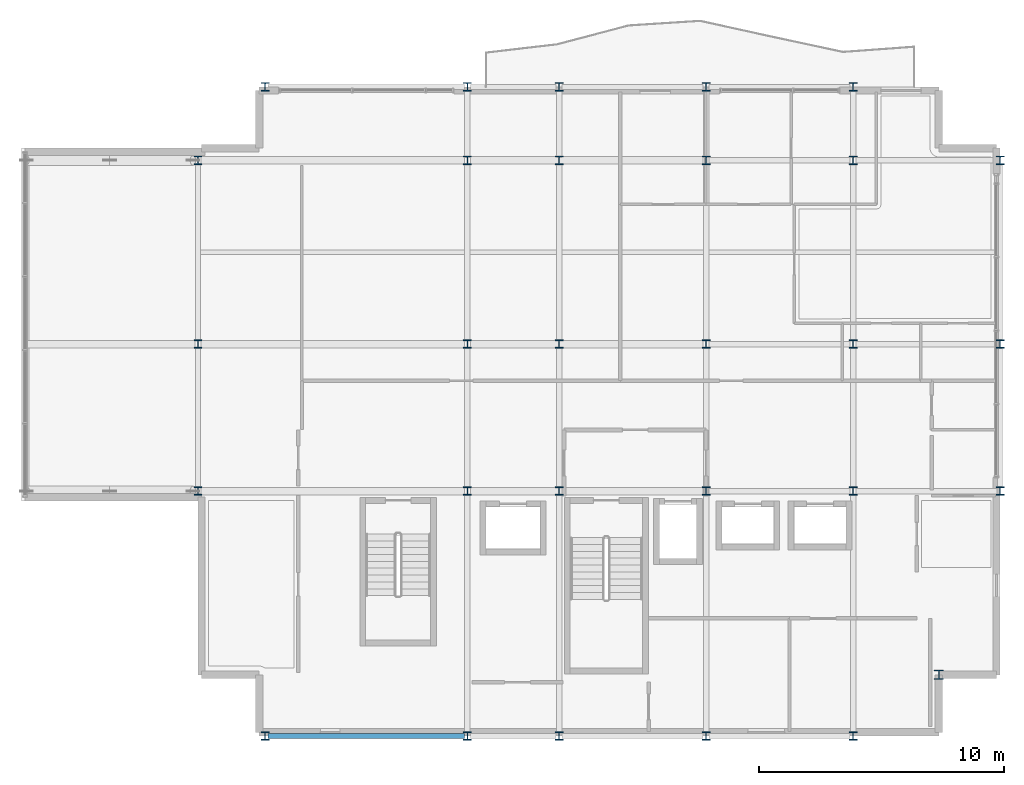
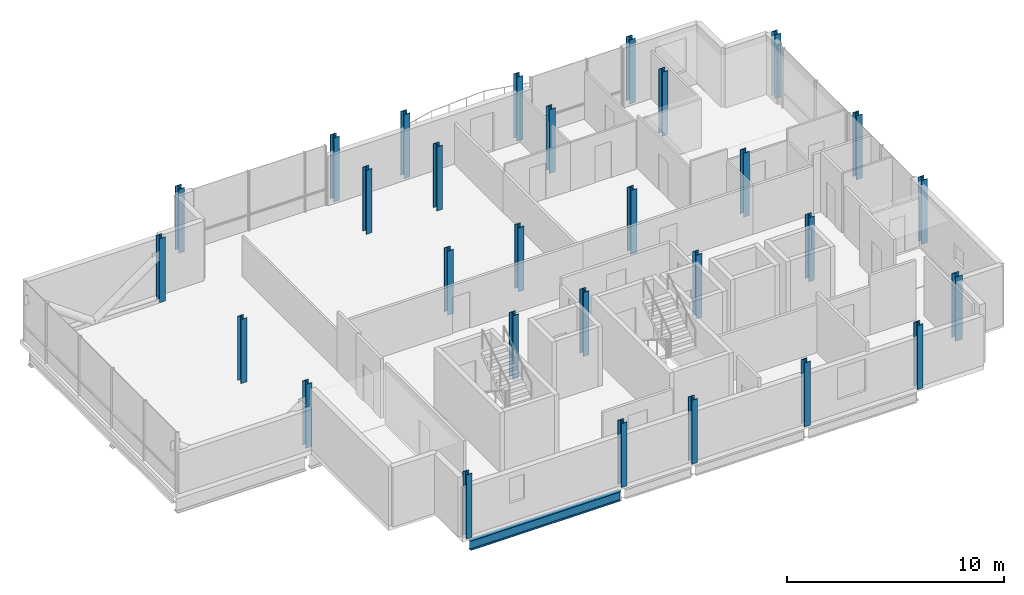
# One storey, part 1 of 18: 29 columns, 1 beam.
"""IFC4 building model written with IfcOpenShell, lengths in metres."""

from ifc_helpers import new_model, si_unit, direction, frame, origin, origin_2d, place, context, subcontext, project, spatial, i_section, extrude, material, material_profile, profile_set, type_object, element, save


model = new_model("IFC4")

# Units and contexts
model_context = context("Model", 3, precision=1e-05, world=origin(), true_north=direction((0.0, 1.0)))
body_context = subcontext(model_context, "Body", "Model", "MODEL_VIEW")
ifc_project = project(units=[si_unit("LENGTHUNIT", "METRE"), si_unit("AREAUNIT", "SQUARE_METRE"), si_unit("VOLUMEUNIT", "CUBIC_METRE"), si_unit("PLANEANGLEUNIT", "RADIAN"), si_unit("MASSUNIT", "GRAM", prefix="KILO")], contexts=[model_context])

# Site, building, storey
site_placement = place(None, origin())
site = spatial("IfcSite", under=ifc_project, at=site_placement, CompositionType="ELEMENT")
building_placement = place(site_placement, origin())
building = spatial("IfcBuilding", under=site, at=building_placement, Name="Brevholm Reach", CompositionType="ELEMENT")
storey_placement = place(building_placement, frame((0.0, 0.0, 240.050048828125)))
storey = spatial("IfcBuildingStorey", under=building, at=storey_placement, Name="L73", CompositionType="ELEMENT", Elevation=240.050048828125)

# Columns
ifc_material_1 = material(Name="Structural Steel S355J2", Category="steel")
ifc_material_profile_1 = material_profile(ifc_material_1, i_section(OverallWidth=0.374755859375, OverallDepth=0.37451171875, WebThickness=0.0166015625, FlangeThickness=0.027099609375, FilletRadius=0.01513671875, at=origin_2d()), Name="UKC 356x368x202")
ifc_profile_set_1 = profile_set([ifc_material_profile_1], Name="Structural Steel S355J2")
column_type_1 = type_object("IfcColumnType", Name="COL-UC6", PredefinedType="COLUMN", material=ifc_profile_set_1)
column_placement = place(storey_placement, frame((57.5, 2.5, 0.0), z_axis=(0.0, 0.0, 1.0), x_axis=(1.0, 0.0, 0.0)))
element("IfcColumn", 1, at=column_placement, inside=storey, type_object=column_type_1, Name="L73 Column 26", PredefinedType="COLUMN", context=body_context, shape_type="SweptSolid", body=[
    extrude(i_section(OverallWidth=0.374755859375, OverallDepth=0.37451171875, WebThickness=0.0166015625, FlangeThickness=0.027099609375, FilletRadius=0.01513671875, at=origin_2d()), origin(), (0.0, 0.0, 1.0), 3.599853515625),
])
ifc_material_2 = material(Name="Structural Steel S355J2", Category="steel")
ifc_material_profile_2 = material_profile(ifc_material_2, i_section(OverallWidth=0.314453125, OverallDepth=0.33984375, WebThickness=0.01904296875, FlangeThickness=0.031494140625, FilletRadius=0.01513671875, at=origin_2d()), Name="UKC 305x305x198")
ifc_profile_set_2 = profile_set([ifc_material_profile_2], Name="Structural Steel S355J2")
column_type_2 = type_object("IfcColumnType", Name="COL-UC7", PredefinedType="COLUMN", material=ifc_profile_set_2)
for number, where, z_axis, x_axis, name in (
    (2, (27.25, 10.0, 0.0), (0.0, 0.0, 1.0), (1.0, 0.0, 0.0), "L73 Column 01"),
    (3, (27.25, 16.0, 0.0), (0.0, 0.0, 1.0), (1.0, 0.0, 0.0), "L73 Column 02"),
    (4, (27.25, 23.5, 0.0), (0.0, 0.0, 1.0), (1.0, 0.0, 0.0), "L73 Column 03"),
    (5, (30.0, 0.0, 0.0), (0.0, 0.0, 1.0), (1.0, 0.0, 0.0), "L73 Column 04"),
    (6, (30.0, 26.5, 0.0), (0.0, 0.0, 1.0), (1.0, 0.0, 0.0), "L73 Column 05"),
    (7, (38.25, 0.0, 0.0), (0.0, 0.0, 1.0), (1.0, 0.0, 0.0), "L73 Column 06"),
    (8, (38.25, 10.0, 0.0), (0.0, 0.0, 1.0), (1.0, 0.0, 0.0), "L73 Column 07"),
    (9, (38.25, 16.0, 0.0), (0.0, 0.0, 1.0), (1.0, 0.0, 0.0), "L73 Column 08"),
    (10, (38.25, 23.5, 0.0), (0.0, 0.0, 1.0), (1.0, 0.0, 0.0), "L73 Column 09"),
    (11, (38.25, 26.5, 0.0), (0.0, 0.0, 1.0), (1.0, 0.0, 0.0), "L73 Column 10"),
    (12, (42.0, 0.0, 0.0), (0.0, 0.0, 1.0), (1.0, 0.0, 0.0), "L73 Column 11"),
    (13, (42.0, 10.0, 0.0), (0.0, 0.0, 1.0), (1.0, 0.0, 0.0), "L73 Column 12"),
    (14, (42.0, 16.0, 0.0), (0.0, 0.0, 1.0), (1.0, 0.0, 0.0), "L73 Column 13"),
    (15, (42.0, 23.5, 0.0), (0.0, 0.0, 1.0), (1.0, 0.0, 0.0), "L73 Column 14"),
    (16, (42.0, 26.5, 0.0), (0.0, 0.0, 1.0), (1.0, 0.0, 0.0), "L73 Column 15"),
    (17, (48.0, 0.0, 0.0), (0.0, 0.0, 1.0), (1.0, 0.0, 0.0), "L73 Column 16"),
    (18, (48.0, 10.0, 0.0), (0.0, 0.0, 1.0), (1.0, 0.0, 0.0), "L73 Column 17"),
    (19, (48.0, 16.0, 0.0), (0.0, 0.0, 1.0), (1.0, 0.0, 0.0), "L73 Column 18"),
    (20, (48.0, 23.5, 0.0), (0.0, 0.0, 1.0), (1.0, 0.0, 0.0), "L73 Column 19"),
    (21, (48.0, 26.5, 0.0), (0.0, 0.0, 1.0), (1.0, 0.0, 0.0), "L73 Column 20"),
    (22, (54.0, 0.0, 0.0), (0.0, 0.0, 1.0), (1.0, 0.0, 0.0), "L73 Column 21"),
    (23, (54.0, 10.0, 0.0), (0.0, 0.0, 1.0), (1.0, 0.0, 0.0), "L73 Column 22"),
    (24, (54.0, 16.0, 0.0), (0.0, 0.0, 1.0), (1.0, 0.0, 0.0), "L73 Column 23"),
    (25, (54.0, 23.5, 0.0), (0.0, 0.0, 1.0), (1.0, 0.0, 0.0), "L73 Column 24"),
    (26, (54.0, 26.5, 0.0), (0.0, 0.0, 1.0), (1.0, 0.0, 0.0), "L73 Column 25"),
    (27, (60.0, 10.0, 0.0), (0.0, 0.0, 1.0), (1.0, 0.0, 0.0), "L73 Column 27"),
    (28, (60.0, 16.0, 0.0), (0.0, 0.0, 1.0), (1.0, 0.0, 0.0), "L73 Column 28"),
    (29, (60.0, 23.5, 0.0), (0.0, 0.0, 1.0), (1.0, 0.0, 0.0), "L73 Column 29"),
):
    element("IfcColumn", number, at=place(storey_placement, frame(where, z_axis=z_axis, x_axis=x_axis)), inside=storey, type_object=column_type_2, Name=name, PredefinedType="COLUMN", context=body_context, shape_type="SweptSolid", body=[
        extrude(i_section(OverallWidth=0.314453125, OverallDepth=0.33984375, WebThickness=0.01904296875, FlangeThickness=0.031494140625, FilletRadius=0.01513671875, at=origin_2d()), origin(), (0.0, 0.0, 1.0), 3.599853515625),
    ])

# Beam
ifc_material_3 = material(Name="Structural Steel S355J2", Category="steel")
ifc_material_profile_3 = material_profile(ifc_material_3, i_section(OverallWidth=0.210693359375, OverallDepth=0.53955078125, WebThickness=0.01171875, FlangeThickness=0.018798828125, FilletRadius=0.0126953125, at=origin_2d()), Name="UKB 533x210x109")
ifc_profile_set_3 = profile_set([ifc_material_profile_3], Name="Structural Steel S355J2")
beam_type = type_object("IfcBeamType", Name="BM-SP539", PredefinedType="SPANDREL", material=ifc_profile_set_3)
beam_placement = place(storey_placement, frame((30.1201171875, 0.0, -0.519775390625), z_axis=(1.0, 0.0, 0.0), x_axis=(0.0, 1.0, 0.0)))
element("IfcBeam", 30, at=beam_placement, inside=storey, type_object=beam_type, Name="L73 SP-01B Framing Beam", PredefinedType="SPANDREL", context=body_context, shape_type="SweptSolid", body=[
    extrude(i_section(OverallWidth=0.210693359375, OverallDepth=0.53955078125, WebThickness=0.01171875, FlangeThickness=0.018798828125, FilletRadius=0.0126953125, at=origin_2d()), origin(), (0.0, 0.0, 1.0), 8.009765625),
])

save(model, "model.ifc")
